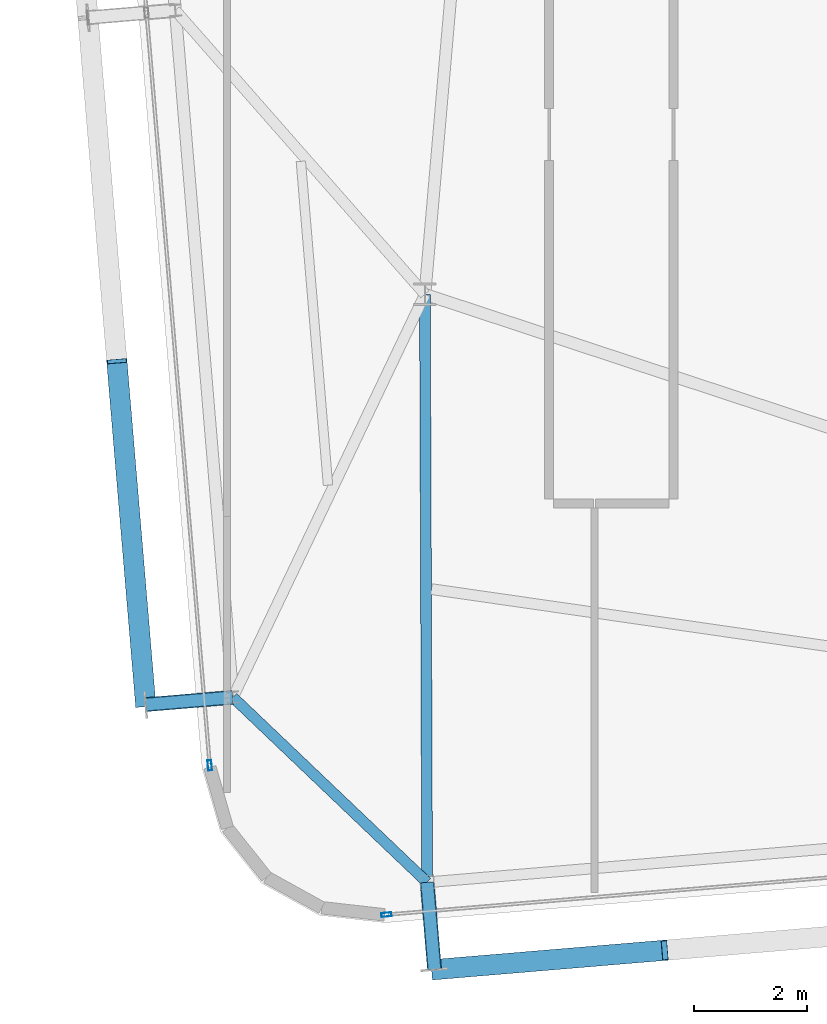
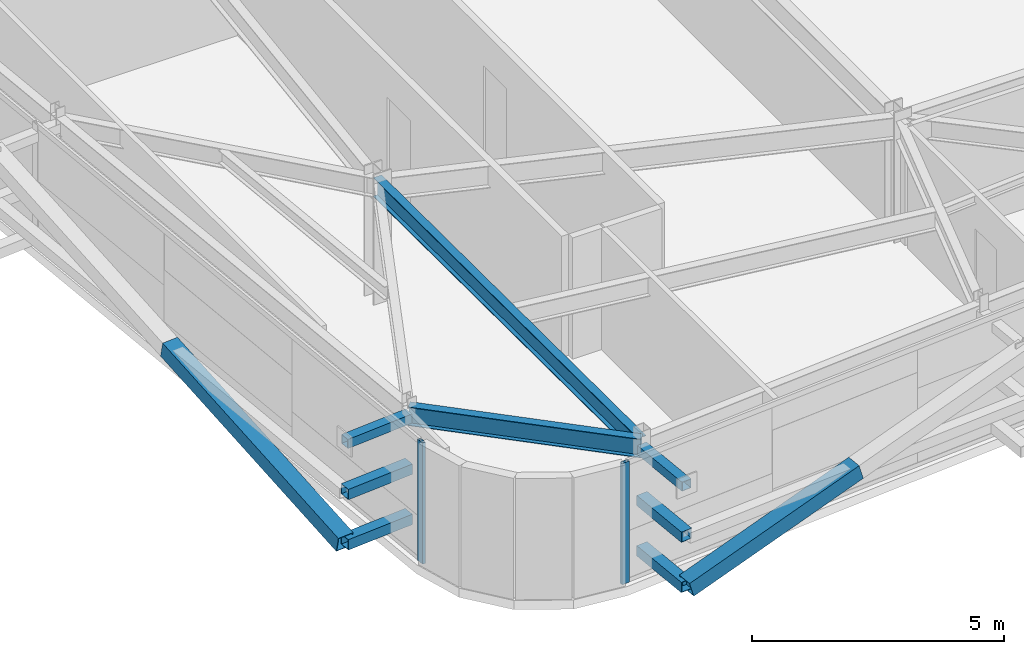
# One storey, part 7 of 37: 10 members, 2 beams, 2 elements without a shape of their own.
"""IFC4 building model written with IfcOpenShell, lengths in metres."""

from ifc_helpers import new_model, si_unit, direction, frame, origin, origin_2d, place, context, subcontext, project, spatial, hollow_rectangle, i_section, extrude, source, transform, mapped, material, layer, layer_set, material_profile, profile_set, type_object, element, aggregate, save


model = new_model("IFC4")

# Units and contexts
model_context = context("Model", 3, precision=1e-05, world=origin(), true_north=direction((0.0, 1.0)))
body_context = subcontext(model_context, "Body", "Model", "MODEL_VIEW")
ifc_project = project(units=[si_unit("LENGTHUNIT", "METRE"), si_unit("AREAUNIT", "SQUARE_METRE"), si_unit("VOLUMEUNIT", "CUBIC_METRE"), si_unit("PLANEANGLEUNIT", "RADIAN"), si_unit("MASSUNIT", "GRAM", prefix="KILO")], contexts=[model_context])

# Site, building, storey
site_placement = place(None, origin())
site = spatial("IfcSite", under=ifc_project, at=site_placement, CompositionType="ELEMENT")
building_placement = place(site_placement, origin())
building = spatial("IfcBuilding", under=site, at=building_placement, Name="Taldren Reach Tower", CompositionType="ELEMENT")
storey_placement = place(building_placement, frame((0.0, 0.0, 172.550048828125)))
storey = spatial("IfcBuildingStorey", under=building, at=storey_placement, Name="L52", CompositionType="ELEMENT", Elevation=172.550048828125)

# Members
ifc_material_1 = material(Name="Steel Gr 350 (C350L0)", Category="steel")
ifc_material_profile_1 = material_profile(ifc_material_1, hollow_rectangle(XDim=0.25, YDim=0.25, WallThickness=0.010009765625, at=origin_2d()), Name="250x250x10.0SHS")
ifc_profile_set_1 = profile_set([ifc_material_profile_1], Name="Steel Gr 350 (C350L0)")
member_type_1 = type_object("IfcMemberType", Name="MB-POST250", PredefinedType="POST", material=ifc_profile_set_1)
shared_shape_1 = source(origin(), body_context, "Body", "SweptSolid", [
    extrude(hollow_rectangle(XDim=0.25, YDim=0.25, WallThickness=0.010009765625, at=origin_2d()), origin(), (0.0, 0.0, 1.0), 1.5498046875),
])
for number, where, z_axis, x_axis, name in (
    (1, (18.03955078125, 2.093994140625, 0.219970703125), (0.083801560254, -0.996482462715, 0.0), (0.996482462715, 0.083801560254, 0.0), "Exoskeleton base diaphragm tie strut B4-S1 L52"),
    (2, (18.03955078125, 2.093994140625, 1.43505859375), (0.083801560254, -0.996482462715, 0.0), (0.996482462715, 0.083801560254, 0.0), "Exoskeleton mid-tier diaphragm tie B4-S1 L52"),
):
    element("IfcMember", number, at=place(storey_placement, frame(where, z_axis=z_axis, x_axis=x_axis)), inside=storey, type_object=member_type_1, Name=name, PredefinedType="POST", context=body_context, shape_type="MappedRepresentation", body=[
        mapped(shared_shape_1, transform((0.0, 0.0, 0.0), scale=1.0)),
    ])

# Beams
ifc_material_2 = material(Name="Steel Gr 350 (350PLUS)", Category="steel")
ifc_material_profile_2 = material_profile(ifc_material_2, i_section(OverallWidth=0.18994140625, OverallDepth=0.4541015625, WebThickness=0.008544921875, FlangeThickness=0.0126953125, at=origin_2d()), Name="460UB67.1")
ifc_profile_set_2 = profile_set([ifc_material_profile_2], Name="Steel Gr 350 (350PLUS)")
beam_type_1 = type_object("IfcBeamType", Name="SP-UB460B", PredefinedType="SPANDREL", material=ifc_profile_set_2)
shared_shape_2 = source(origin(), body_context, "Body", "SweptSolid", [
    extrude(i_section(OverallWidth=0.18994140625, OverallDepth=0.4541015625, WebThickness=0.008544921875, FlangeThickness=0.0126953125, at=origin_2d()), origin(), (0.0, 0.0, 1.0), 4.745849609375),
])
beam_1_placement = place(storey_placement, frame((14.603759765625, 5.367919921875, 2.702880859375), z_axis=(0.723954399605, -0.689847829084, 0.0), x_axis=(0.689847829084, 0.723954399605, 0.0)))
element("IfcBeam", 3, at=beam_1_placement, inside=storey, type_object=beam_type_1, Name="Perimeter spandrel B4 W1-S1 L52", PredefinedType="SPANDREL", context=body_context, shape_type="MappedRepresentation", body=[
    mapped(shared_shape_2, transform((0.0, 0.0, 0.0), scale=1.0)),
])
ifc_material_profile_3 = material_profile(ifc_material_2, i_section(OverallWidth=0.19091796875, OverallDepth=0.4599609375, WebThickness=0.010009765625, FlangeThickness=0.01611328125, at=origin_2d()), Name="460UB82.1")
ifc_profile_set_3 = profile_set([ifc_material_profile_3], Name="Steel Gr 350 (350PLUS)")
beam_type_2 = type_object("IfcBeamType", Name="BM-UB460A", PredefinedType="BEAM", material=ifc_profile_set_3)
shared_shape_3 = source(origin(), body_context, "Body", "SweptSolid", [
    extrude(i_section(OverallWidth=0.19091796875, OverallDepth=0.4599609375, WebThickness=0.010009765625, FlangeThickness=0.01611328125, at=origin_2d()), origin(), (0.0, 0.0, 1.0), 10.406005859375),
])
beam_2_placement = place(storey_placement, frame((18.0, 12.5, 2.699951171875), z_axis=(0.003800737393, -0.999992777172, 0.0), x_axis=(0.999992777172, 0.003800737393, 0.0)))
element("IfcBeam", 4, at=beam_2_placement, inside=storey, type_object=beam_type_2, Name="Primary floor girder B4-S1 L52", PredefinedType="BEAM", context=body_context, shape_type="MappedRepresentation", body=[
    mapped(shared_shape_3, transform((0.0, 0.0, 0.0), scale=1.0)),
])

# Members
ifc_material_3 = material(Name="Steel Gr 450 (C450L0)", Category="steel")
ifc_material_profile_4 = material_profile(ifc_material_3, hollow_rectangle(XDim=0.219970703125, YDim=0.219970703125, WallThickness=0.00830078125, at=origin_2d()), Name="220x220x8.2SHS")
ifc_profile_set_4 = profile_set([ifc_material_profile_4], Name="Steel Gr 450 (C450L0)")
member_type_2 = type_object("IfcMemberType", Name="MB-TIE219", PredefinedType="STRUT", material=ifc_profile_set_4)
shared_shape_4 = source(origin(), body_context, "Body", "SweptSolid", [
    extrude(hollow_rectangle(XDim=0.219970703125, YDim=0.219970703125, WallThickness=0.00830078125, at=origin_2d()), origin(), (0.0, 0.0, 1.0), 1.5498046875),
])
member_1_placement = place(storey_placement, frame((18.03955078125, 2.093994140625, 2.64990234375), z_axis=(0.083801560254, -0.996482462715, 0.0), x_axis=(0.996482462715, 0.083801560254, 0.0)))
element("IfcMember", 5, at=member_1_placement, inside=storey, type_object=member_type_2, Name="Exoskeleton diaphragm tie strut B4-S1 L52", PredefinedType="STRUT", context=body_context, shape_type="MappedRepresentation", body=[
    mapped(shared_shape_4, transform((0.0, 0.0, 0.0), scale=1.0)),
])
shared_shape_5 = source(origin(), body_context, "Body", "SweptSolid", [
    extrude(hollow_rectangle(XDim=0.219970703125, YDim=0.219970703125, WallThickness=0.00830078125, at=origin_2d()), origin(), (0.0, 0.0, 1.0), 1.54541015625),
])
member_2_placement = place(storey_placement, frame((14.59912109375, 5.36767578125, 2.64990234375), z_axis=(-0.99648887425, -0.083725285883, 0.0), x_axis=(0.083725285883, -0.99648887425, 0.0)))
element("IfcMember", 6, at=member_2_placement, inside=storey, type_object=member_type_2, Name="Exoskeleton diaphragm tie strut B4-W1 L52", PredefinedType="STRUT", context=body_context, shape_type="MappedRepresentation", body=[
    mapped(shared_shape_5, transform((0.0, 0.0, 0.0), scale=1.0)),
])
shared_shape_6 = source(origin(), body_context, "Body", "SweptSolid", [
    extrude(hollow_rectangle(XDim=0.25, YDim=0.25, WallThickness=0.010009765625, at=origin_2d()), origin(), (0.0, 0.0, 1.0), 1.54541015625),
])
for number, where, z_axis, x_axis, name in (
    (7, (14.59912109375, 5.36767578125, 0.219970703125), (-0.99648887425, -0.083725285883, 0.0), (0.083725285883, -0.99648887425, 0.0), "Exoskeleton base diaphragm tie strut B4-W1 L52"),
    (8, (14.59912109375, 5.36767578125, 1.43505859375), (-0.99648887425, -0.083725285883, 0.0), (0.083725285883, -0.99648887425, 0.0), "Exoskeleton mid-tier diaphragm tie B4-W1 L52"),
):
    element("IfcMember", number, at=place(storey_placement, frame(where, z_axis=z_axis, x_axis=x_axis)), inside=storey, type_object=member_type_1, Name=name, PredefinedType="POST", context=body_context, shape_type="MappedRepresentation", body=[
        mapped(shared_shape_6, transform((0.0, 0.0, 0.0), scale=1.0)),
    ])
ifc_material_profile_5 = material_profile(ifc_material_3, hollow_rectangle(XDim=0.360107421875, YDim=0.360107421875, WallThickness=0.0126953125, at=origin_2d()), Name="360x360x12.7SHS")
ifc_profile_set_5 = profile_set([ifc_material_profile_5], Name="Steel Gr 450 (C450L0)")
member_type_3 = type_object("IfcMemberType", Name="MB-EXO356", PredefinedType="BRACE", material=ifc_profile_set_5)
shared_shape_7 = source(origin(), body_context, "Body", "SweptSolid", [
    extrude(hollow_rectangle(XDim=0.360107421875, YDim=0.360107421875, WallThickness=0.0126953125, at=origin_2d()), origin(), (0.0, 0.0, 1.0), 4.2666015625),
])
member_3_placement = place(storey_placement, frame((18.16943359375, 0.549560546875, 0.219970703125), z_axis=(0.955233542365, 0.080165460216, 0.28478479336), x_axis=(-0.083628388178, 0.996497010879, 0.0)))
element("IfcMember", 9, at=member_3_placement, inside=storey, type_object=member_type_3, Name="Exoskeleton Diagrid Brace B4-S1 L52", PredefinedType="BRACE", context=body_context, shape_type="MappedRepresentation", body=[
    mapped(shared_shape_7, transform((0.0, 0.0, 0.0), scale=1.0)),
])
shared_shape_8 = source(origin(), body_context, "Body", "SweptSolid", [
    extrude(hollow_rectangle(XDim=0.360107421875, YDim=0.360107421875, WallThickness=0.0126953125, at=origin_2d()), origin(), (0.0, 0.0, 1.0), 6.219970703125),
])
member_4_placement = place(storey_placement, frame((13.05908203125, 5.23828125, 0.219970703125), z_axis=(-0.082075564879, 0.977291924611, 0.195356330179), x_axis=(-0.996492003099, -0.083688038336, 0.0)))
element("IfcMember", 10, at=member_4_placement, inside=storey, type_object=member_type_3, Name="Exoskeleton Diagrid Brace B4-W1 L52", PredefinedType="BRACE", context=body_context, shape_type="MappedRepresentation", body=[
    mapped(shared_shape_8, transform((0.0, 0.0, 0.0), scale=1.0)),
])

# Curtain wall, member
ifc_material_4 = material(Name="Aluminium and Low-E Glass Unitised System", Category="aluminium")
ifc_layer = layer(ifc_material_4, 0.159912109375)
ifc_layer_set = layer_set([ifc_layer], Name="Aluminium and Low-E Glass Unitised System")
curtain_wall_type = type_object("IfcCurtainWallType", Name="CW-SYS-5", PredefinedType="NOTDEFINED", material=ifc_layer_set)
curtain_wall_1_placement = place(storey_placement, origin())
curtain_wall_1 = element("IfcCurtainWall", 11, at=curtain_wall_1_placement, inside=storey, type_object=curtain_wall_type, Name="Unitised curtain wall CW-L52-S", PredefinedType="NOTDEFINED")
ifc_material_5 = material(Name="Anodised Aluminium 6063-T6", Category="aluminium")
ifc_material_profile_6 = material_profile(ifc_material_5, hollow_rectangle(XDim=0.070068359375, YDim=0.179931640625, WallThickness=0.00390625, at=origin_2d()), Name="ALU-180x70x4RHS")
ifc_profile_set_6 = profile_set([ifc_material_profile_6], Name="Anodised Aluminium 6063-T6")
member_type_4 = type_object("IfcMemberType", Name="CW-MUL-180", PredefinedType="MULLION", material=ifc_profile_set_6)
shared_shape_9 = source(origin(), body_context, "Body", "SweptSolid", [
    extrude(hollow_rectangle(XDim=0.070068359375, YDim=0.179931640625, WallThickness=0.00390625, at=origin_2d()), origin(), (0.0, 0.0, 1.0), 2.929931640625),
])
member_5_placement = place(storey_placement, frame((17.320068359375, 1.521728515625, 0.0), z_axis=(0.0, 0.0, 1.0), x_axis=(-0.083677894865, 0.996492854922, 0.0)))
member_5 = element("IfcMember", 12, at=member_5_placement, type_object=member_type_4, Name="CW-5 mullion 1", PredefinedType="MULLION", context=body_context, shape_type="MappedRepresentation", body=[
    mapped(shared_shape_9, transform((0.0, 0.0, 0.0), scale=1.0)),
])
aggregate(curtain_wall_1, [member_5])

curtain_wall_2_placement = place(storey_placement, origin())
curtain_wall_2 = element("IfcCurtainWall", 13, at=curtain_wall_2_placement, inside=storey, type_object=curtain_wall_type, Name="Unitised curtain wall CW-L52-W", PredefinedType="NOTDEFINED")
member_6_placement = place(storey_placement, frame((14.19287109375, 4.164306640625, 0.0), z_axis=(0.0, 0.0, 1.0), x_axis=(0.996492847789, 0.083677979808, 0.0)))
member_6 = element("IfcMember", 14, at=member_6_placement, type_object=member_type_4, Name="CW-5 mullion 3", PredefinedType="MULLION", context=body_context, shape_type="MappedRepresentation", body=[
    mapped(shared_shape_9, transform((0.0, 0.0, 0.0), scale=1.0)),
])
aggregate(curtain_wall_2, [member_6])

save(model, "model.ifc")
